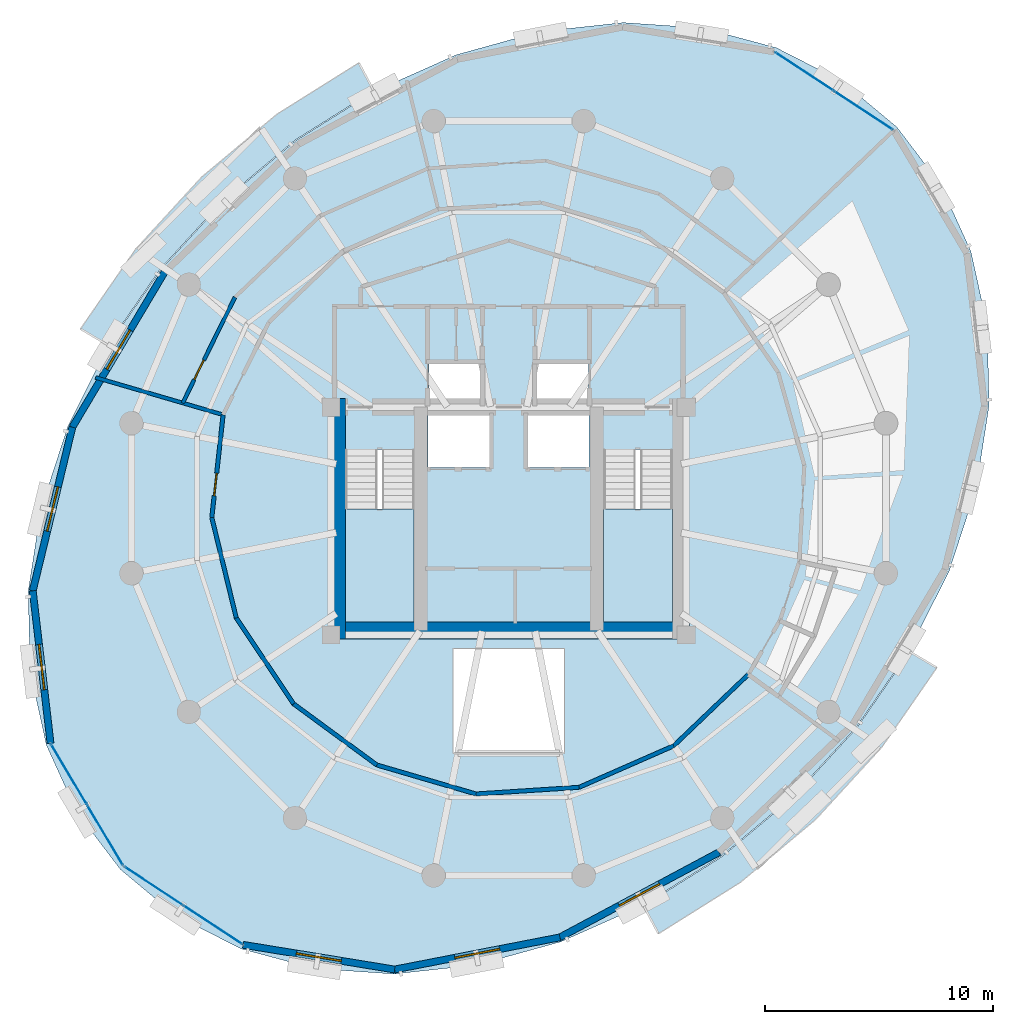
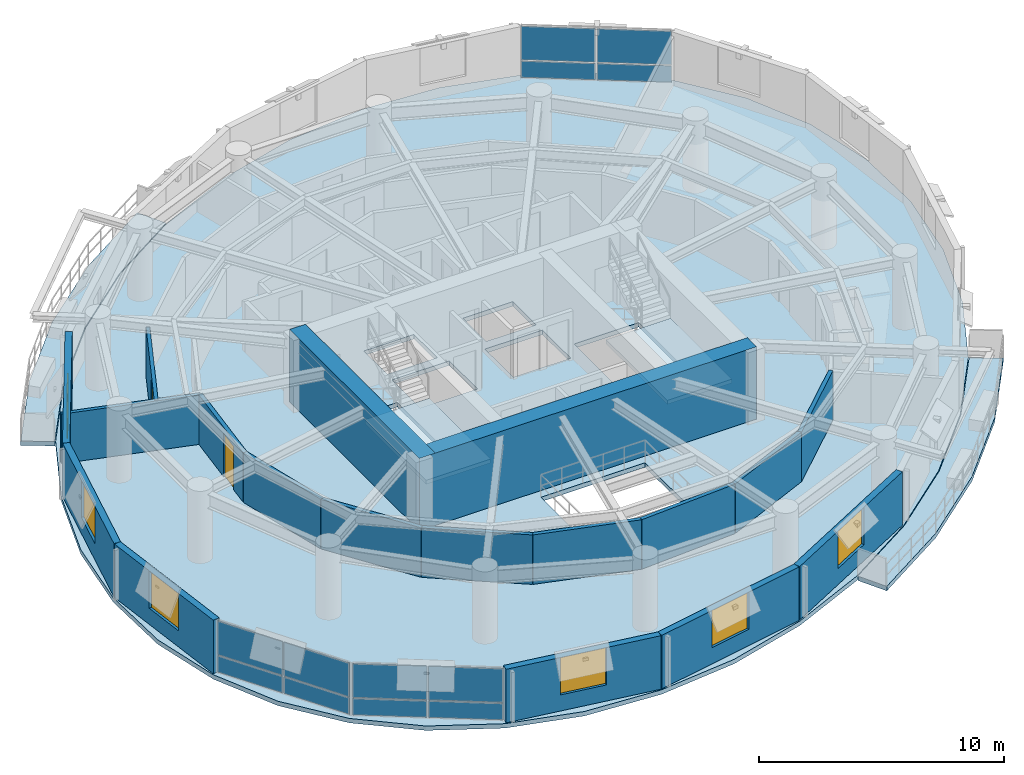
# One storey, part 7 of 12: 18 walls, 12 plates, 6 windows, 5 slabs, 2 doors, 8 openings, 5 elements without a shape of their own.
"""IFC4 building model written with IfcOpenShell, lengths in metres."""

from ifc_helpers import new_model, si_unit, direction, frame, frame_2d, origin, origin_2d, place, context, subcontext, project, spatial, polyline, rectangle, outline, extrude, material, layer, layer_set, type_object, element, fill, aggregate, save


model = new_model("IFC4")

# Units and contexts
model_context = context("Model", 3, precision=1e-05, world=origin(), true_north=direction((0.0, 1.0)))
body_context = subcontext(model_context, "Body", "Model", "MODEL_VIEW")
ifc_project = project(units=[si_unit("LENGTHUNIT", "METRE"), si_unit("AREAUNIT", "SQUARE_METRE"), si_unit("VOLUMEUNIT", "CUBIC_METRE"), si_unit("PLANEANGLEUNIT", "RADIAN"), si_unit("MASSUNIT", "GRAM", prefix="KILO"), si_unit("THERMODYNAMICTEMPERATUREUNIT", "KELVIN"), si_unit("POWERUNIT", "WATT")], contexts=[model_context])

# Site, building, storey
site_placement = place(None, origin())
site = spatial("IfcSite", under=ifc_project, at=site_placement, CompositionType="ELEMENT")
building_placement = place(site_placement, origin())
building = spatial("IfcBuilding", under=site, at=building_placement, Name="Ocrelia Relay Tower", CompositionType="ELEMENT")
storey_placement = place(building_placement, frame((0.0, 0.0, 213.199951171875)))
storey = spatial("IfcBuildingStorey", under=building, at=storey_placement, Name="L52", CompositionType="ELEMENT", Elevation=213.199951171875)

# Curtain wall, plates
ifc_material_1 = material(Name="Aluminium and solar-control low-E glass", Category="aluminium")
ifc_layer_1 = layer(ifc_material_1, 0.179931640625, Name="Aluminium and solar-control low-E glass")
ifc_layer_set_1 = layer_set([ifc_layer_1], Name="Aluminium and solar-control low-E glass")
curtain_wall_type = type_object("IfcCurtainWallType", Name="CW-SYS-Z3-CLOU", PredefinedType="NOTDEFINED", material=ifc_layer_set_1)
curtain_wall_1_placement = place(storey_placement, origin())
curtain_wall_1 = element("IfcCurtainWall", 1, at=curtain_wall_1_placement, inside=storey, type_object=curtain_wall_type, Name="L52 Elliptical Tower Curtain Wall Bay 01", PredefinedType="NOTDEFINED")
ifc_material_2 = material(Name="Clear double-glazed low-E glass", Category="glass")
ifc_layer_2 = layer(ifc_material_2, 0.031982421875, Name="Clear double-glazed low-E glass")
ifc_layer_set_2 = layer_set([ifc_layer_2], Name="Clear double-glazed low-E glass")
plate_type = type_object("IfcPlateType", Name="CW-SYS-Z3-CLOU-PNL", PredefinedType="CURTAIN_PANEL", material=ifc_layer_set_2)
plate_1_placement = place(storey_placement, frame((49.59130859375, 43.038330078125, 0.06005859375), z_axis=(0.0, 0.0, 1.0), x_axis=(-0.835613007377, 0.549318579608, 0.0)))
plate_1 = element("IfcPlate", 2, at=plate_1_placement, type_object=plate_type, Name="CW-Z3 panel 1.1", PredefinedType="CURTAIN_PANEL", context=body_context, shape_type="SweptSolid", body=[
    extrude(rectangle(XDim=3.0439453125, YDim=0.031982421875, at=origin_2d()), origin(), (0.0, 0.0, 1.0), 0.81005859375),
])
plate_2_placement = place(storey_placement, frame((49.59130859375, 43.038330078125, 0.93017578125), z_axis=(0.0, 0.0, 1.0), x_axis=(-0.835613007377, 0.549318579608, 0.0)))
plate_2 = element("IfcPlate", 3, at=plate_2_placement, type_object=plate_type, Name="CW-Z3 panel 1.2", PredefinedType="CURTAIN_PANEL", context=body_context, shape_type="SweptSolid", body=[
    extrude(rectangle(XDim=3.0439453125, YDim=0.031982421875, at=origin_2d()), origin(), (0.0, 0.0, 1.0), 1.669921875),
])
plate_3_placement = place(storey_placement, frame((46.99365234375, 44.74609375, 0.06005859375), z_axis=(0.0, 0.0, 1.0), x_axis=(-0.835613007377, 0.549318579608, 0.0)))
plate_3 = element("IfcPlate", 4, at=plate_3_placement, type_object=plate_type, Name="CW-Z3 panel 2.1", PredefinedType="CURTAIN_PANEL", context=body_context, shape_type="SweptSolid", body=[
    extrude(rectangle(XDim=3.0439453125, YDim=0.031982421875, at=origin_2d()), origin(), (0.0, 0.0, 1.0), 0.81005859375),
])
plate_4_placement = place(storey_placement, frame((46.99365234375, 44.74609375, 0.93017578125), z_axis=(0.0, 0.0, 1.0), x_axis=(-0.835613007377, 0.549318579608, 0.0)))
plate_4 = element("IfcPlate", 5, at=plate_4_placement, type_object=plate_type, Name="CW-Z3 panel 2.2", PredefinedType="CURTAIN_PANEL", context=body_context, shape_type="SweptSolid", body=[
    extrude(rectangle(XDim=3.0439453125, YDim=0.031982421875, at=origin_2d()), origin(), (0.0, 0.0, 1.0), 1.669921875),
])
aggregate(curtain_wall_1, [plate_1, plate_2, plate_3, plate_4])

curtain_wall_2_placement = place(storey_placement, origin())
curtain_wall_2 = element("IfcCurtainWall", 6, at=curtain_wall_2_placement, inside=storey, type_object=curtain_wall_type, Name="L52 Elliptical Tower Curtain Wall Bay 09", PredefinedType="NOTDEFINED")
plate_5_placement = place(storey_placement, frame((14.683837890625, 13.8701171875, 0.06005859375), z_axis=(0.0, 0.0, 1.0), x_axis=(0.510851311263, -0.859669086208, 0.0)))
plate_5 = element("IfcPlate", 7, at=plate_5_placement, type_object=plate_type, Name="CW-Z3 panel 1.1", PredefinedType="CURTAIN_PANEL", context=body_context, shape_type="SweptSolid", body=[
    extrude(rectangle(XDim=3.0439453125, YDim=0.031982421875, at=origin_2d()), origin(), (0.0, 0.0, 1.0), 0.81005859375),
])
plate_6_placement = place(storey_placement, frame((14.683837890625, 13.8701171875, 0.93017578125), z_axis=(0.0, 0.0, 1.0), x_axis=(0.510851311263, -0.859669086208, 0.0)))
plate_6 = element("IfcPlate", 8, at=plate_6_placement, type_object=plate_type, Name="CW-Z3 panel 1.2", PredefinedType="CURTAIN_PANEL", context=body_context, shape_type="SweptSolid", body=[
    extrude(rectangle(XDim=3.0439453125, YDim=0.031982421875, at=origin_2d()), origin(), (0.0, 0.0, 1.0), 1.669921875),
])
plate_7_placement = place(storey_placement, frame((16.27197265625, 11.197509765625, 0.06005859375), z_axis=(0.0, 0.0, 1.0), x_axis=(0.510851311263, -0.859669086208, 0.0)))
plate_7 = element("IfcPlate", 9, at=plate_7_placement, type_object=plate_type, Name="CW-Z3 panel 2.1", PredefinedType="CURTAIN_PANEL", context=body_context, shape_type="SweptSolid", body=[
    extrude(rectangle(XDim=3.0439453125, YDim=0.031982421875, at=origin_2d()), origin(), (0.0, 0.0, 1.0), 0.81005859375),
])
plate_8_placement = place(storey_placement, frame((16.27197265625, 11.197509765625, 0.93017578125), z_axis=(0.0, 0.0, 1.0), x_axis=(0.510851311263, -0.859669086208, 0.0)))
plate_8 = element("IfcPlate", 10, at=plate_8_placement, type_object=plate_type, Name="CW-Z3 panel 2.2", PredefinedType="CURTAIN_PANEL", context=body_context, shape_type="SweptSolid", body=[
    extrude(rectangle(XDim=3.0439453125, YDim=0.031982421875, at=origin_2d()), origin(), (0.0, 0.0, 1.0), 1.669921875),
])
aggregate(curtain_wall_2, [plate_5, plate_6, plate_7, plate_8])

curtain_wall_3_placement = place(storey_placement, origin())
curtain_wall_3 = element("IfcCurtainWall", 11, at=curtain_wall_3_placement, inside=storey, type_object=curtain_wall_type, Name="L52 Elliptical Tower Curtain Wall Bay 10", PredefinedType="NOTDEFINED")
plate_9_placement = place(storey_placement, frame((18.40869140625, 8.961669921875, 0.06005859375), z_axis=(0.0, 0.0, 1.0), x_axis=(0.835613007377, -0.549318579608, 0.0)))
plate_9 = element("IfcPlate", 12, at=plate_9_placement, type_object=plate_type, Name="CW-Z3 panel 1.1", PredefinedType="CURTAIN_PANEL", context=body_context, shape_type="SweptSolid", body=[
    extrude(rectangle(XDim=3.0439453125, YDim=0.031982421875, at=origin_2d()), origin(), (0.0, 0.0, 1.0), 0.81005859375),
])
plate_10_placement = place(storey_placement, frame((18.40869140625, 8.961669921875, 0.93017578125), z_axis=(0.0, 0.0, 1.0), x_axis=(0.835613007377, -0.549318579608, 0.0)))
plate_10 = element("IfcPlate", 13, at=plate_10_placement, type_object=plate_type, Name="CW-Z3 panel 1.2", PredefinedType="CURTAIN_PANEL", context=body_context, shape_type="SweptSolid", body=[
    extrude(rectangle(XDim=3.0439453125, YDim=0.031982421875, at=origin_2d()), origin(), (0.0, 0.0, 1.0), 1.669921875),
])
plate_11_placement = place(storey_placement, frame((21.00634765625, 7.25390625, 0.06005859375), z_axis=(0.0, 0.0, 1.0), x_axis=(0.835613007377, -0.549318579608, 0.0)))
plate_11 = element("IfcPlate", 14, at=plate_11_placement, type_object=plate_type, Name="CW-Z3 panel 2.1", PredefinedType="CURTAIN_PANEL", context=body_context, shape_type="SweptSolid", body=[
    extrude(rectangle(XDim=3.0439453125, YDim=0.031982421875, at=origin_2d()), origin(), (0.0, 0.0, 1.0), 0.81005859375),
])
plate_12_placement = place(storey_placement, frame((21.00634765625, 7.25390625, 0.93017578125), z_axis=(0.0, 0.0, 1.0), x_axis=(0.835613007377, -0.549318579608, 0.0)))
plate_12 = element("IfcPlate", 15, at=plate_12_placement, type_object=plate_type, Name="CW-Z3 panel 2.2", PredefinedType="CURTAIN_PANEL", context=body_context, shape_type="SweptSolid", body=[
    extrude(rectangle(XDim=3.0439453125, YDim=0.031982421875, at=origin_2d()), origin(), (0.0, 0.0, 1.0), 1.669921875),
])
aggregate(curtain_wall_3, [plate_9, plate_10, plate_11, plate_12])

# Slabs
ifc_material_3 = material(Name="Precast concrete C40/50", Category="concrete")
ifc_layer_3 = layer(ifc_material_3, 0.219970703125, Name="Precast concrete C40/50")
ifc_layer_set_3 = layer_set([ifc_layer_3], Name="Precast concrete C40/50")
slab_type_1 = type_object("IfcSlabType", Name="SL-BALC-220", PredefinedType="FLOOR", material=ifc_layer_set_3)
slab_1_placement = place(storey_placement, frame((0.0, 0.0, -0.219970703125)))
element("IfcSlab", 16, at=slab_1_placement, inside=storey, type_object=slab_type_1, Name="L52 Planted Loggia Balcony B1", PredefinedType="FLOOR", context=body_context, shape_type="SweptSolid", body=[
    extrude(outline(polyline([(28.070556640625, 43.899658203125), (26.350341796875, 42.821044921875), (24.630126953125, 41.742431640625), (21.47412109375, 39.107421875), (18.69873046875, 36.07421875), (17.543212890625, 34.40478515625), (16.3876953125, 32.7353515625), (15.18896484375, 33.44580078125), (16.3994140625, 35.194580078125), (17.609619140625, 36.943115234375), (20.51171875, 40.114501953125), (23.811767578125, 42.8701171875), (25.613525390625, 43.999755859375), (27.415283203125, 45.12939453125), (28.070556640625, 43.899658203125)])), origin(), (0.0, 0.0, 1.0), 0.219970703125),
])
slab_2_placement = place(storey_placement, frame((0.0, 0.0, -0.219970703125)))
element("IfcSlab", 17, at=slab_2_placement, inside=storey, type_object=slab_type_1, Name="L52 Planted Loggia Balcony B2", PredefinedType="FLOOR", context=body_context, shape_type="SweptSolid", body=[
    extrude(outline(polyline([(39.929443359375, 8.100341796875), (41.649658203125, 9.178955078125), (43.369873046875, 10.257568359375), (46.52587890625, 12.892578125), (49.30126953125, 15.92578125), (50.456787109375, 17.59521484375), (51.6123046875, 19.2646484375), (52.81103515625, 18.55419921875), (51.600830078125, 16.8056640625), (50.390380859375, 15.056884765625), (47.48828125, 11.885498046875), (44.188232421875, 9.1298828125), (42.386474609375, 8.000244140625), (40.584716796875, 6.87060546875), (39.929443359375, 8.100341796875)])), origin(), (0.0, 0.0, 1.0), 0.219970703125),
])
ifc_material_4 = material(Name="Concrete C50/60", Category="concrete")
ifc_layer_4 = layer(ifc_material_4, 0.219970703125, Name="Concrete C50/60")
ifc_layer_set_4 = layer_set([ifc_layer_4], Name="Concrete C50/60")
slab_type_2 = type_object("IfcSlabType", Name="SL-FLR-220", PredefinedType="FLOOR", material=ifc_layer_set_4)
slab_3_placement = place(storey_placement, frame((0.0, 0.0, -0.219970703125)))
element("IfcSlab", 18, at=slab_3_placement, inside=storey, type_object=slab_type_2, Name="L52 Elliptical Tower Floor Slab", PredefinedType="FLOOR", context=body_context, shape_type="SweptSolid", body=[
    extrude(outline(polyline([(51.06201171875, 42.3046875), (48.63134765625, 44.329345703125), (45.756103515625, 45.797119140625), (42.523681640625, 46.6630859375), (39.0322265625, 46.901611328125), (35.387939453125, 46.5048828125), (31.701416015625, 45.485107421875), (28.084716796875, 43.873046875), (24.647705078125, 41.71826171875), (21.4951171875, 39.085693359375), (18.72216796875, 36.0556640625), (16.41357421875, 32.719970703125), (14.639404296875, 29.18017578125), (13.453369140625, 25.543701171875), (12.8916015625, 21.921142578125), (12.971435546875, 18.422607421875), (13.68994140625, 15.154052734375), (15.025634765625, 12.215087890625), (16.93798828125, 9.6953125), (19.36865234375, 7.670654296875), (22.243896484375, 6.202880859375), (25.476318359375, 5.3369140625), (28.9677734375, 5.098388671875), (32.612060546875, 5.4951171875), (36.298583984375, 6.514892578125), (39.915283203125, 8.126953125), (43.352294921875, 10.28173828125), (46.5048828125, 12.914306640625), (49.27783203125, 15.9443359375), (51.58642578125, 19.280029296875), (53.360595703125, 22.81982421875), (54.546630859375, 26.456298828125), (55.1083984375, 30.078857421875), (55.028564453125, 33.577392578125), (54.31005859375, 36.845947265625), (52.974365234375, 39.784912109375), (51.06201171875, 42.3046875)]), holes=[polyline([(26.81005859375, 28.14990234375), (26.81005859375, 20.550048828125), (29.85009765625, 20.550048828125), (29.85009765625, 28.14990234375), (26.81005859375, 28.14990234375)]), polyline([(38.159912109375, 28.14990234375), (38.159912109375, 20.550048828125), (41.199951171875, 20.550048828125), (41.199951171875, 28.14990234375), (38.159912109375, 28.14990234375)]), polyline([(30.4599609375, 27.35009765625), (33.159912109375, 27.35009765625), (33.159912109375, 29.64990234375), (30.4599609375, 29.64990234375), (30.4599609375, 27.35009765625)]), polyline([(34.840087890625, 27.35009765625), (37.5400390625, 27.35009765625), (37.5400390625, 29.64990234375), (34.840087890625, 29.64990234375), (34.840087890625, 27.35009765625)]), polyline([(30.5, 30.10009765625), (32.85009765625, 30.10009765625), (32.85009765625, 32.0), (30.5, 32.0), (30.5, 30.10009765625)]), polyline([(35.14990234375, 30.10009765625), (37.5, 30.10009765625), (37.5, 32.0), (35.14990234375, 32.0), (35.14990234375, 30.10009765625)]), polyline([(31.550048828125, 14.800048828125), (36.449951171875, 14.800048828125), (36.449951171875, 19.39990234375), (31.550048828125, 19.39990234375), (31.550048828125, 14.800048828125)])]), origin(), (0.0, 0.0, 1.0), 0.219970703125),
])

# Stair, slab
stair_type = type_object("IfcStairType", Name="ST-DL-1420-R180", PredefinedType="HALF_TURN_STAIR", material=ifc_material_4)
stair_1_placement = place(storey_placement, origin())
stair_1 = element("IfcStair", 19, at=stair_1_placement, inside=storey, type_object=stair_type, Name="L52 West Core Exit Stair ST1", PredefinedType="HALF_TURN_STAIR")
ifc_layer_5 = layer(ifc_material_4, 0.199951171875, Name="Concrete C50/60")
ifc_layer_set_5 = layer_set([ifc_layer_5], Name="Concrete C50/60")
slab_type_3 = type_object("IfcSlabType", Name="SL-LANDING-200", PredefinedType="LANDING", material=ifc_layer_set_5)
slab_4_placement = place(storey_placement, frame((0.0, 0.0, 1.60009765625)))
slab_4 = element("IfcSlab", 20, at=slab_4_placement, type_object=slab_type_3, Name="ST1 landing 1", PredefinedType="LANDING", context=body_context, shape_type="SweptSolid", body=[
    extrude(outline(polyline([(26.81005859375, 25.5400390625), (26.81005859375, 20.550048828125), (29.85009765625, 20.550048828125), (29.85009765625, 25.5400390625), (26.81005859375, 25.5400390625)])), origin(), (0.0, 0.0, 1.0), 0.199951171875),
])
aggregate(stair_1, [slab_4])

stair_2_placement = place(storey_placement, origin())
stair_2 = element("IfcStair", 21, at=stair_2_placement, inside=storey, type_object=stair_type, Name="L52 East Core Exit Stair ST2", PredefinedType="HALF_TURN_STAIR")
slab_5_placement = place(storey_placement, frame((0.0, 0.0, 1.60009765625)))
slab_5 = element("IfcSlab", 22, at=slab_5_placement, type_object=slab_type_3, Name="ST2 landing 1", PredefinedType="LANDING", context=body_context, shape_type="SweptSolid", body=[
    extrude(outline(polyline([(38.159912109375, 25.5400390625), (38.159912109375, 20.550048828125), (41.199951171875, 20.550048828125), (41.199951171875, 25.5400390625), (38.159912109375, 25.5400390625)])), origin(), (0.0, 0.0, 1.0), 0.199951171875),
])
aggregate(stair_2, [slab_5])

# Walls
ifc_material_5 = material(Name="Concrete C60/75", Category="concrete")
ifc_layer_6 = layer(ifc_material_5, 0.75, Name="Concrete C60/75")
ifc_layer_set_6 = layer_set([ifc_layer_6], Name="Concrete C60/75")
wall_type_1 = type_object("IfcWallType", Name="CW-CORE-750", PredefinedType="SHEAR", material=ifc_layer_set_6)
wall_1_placement = place(storey_placement, frame((26.072021484375, 20.18701171875, 0.0), z_axis=(0.0, 0.0, 1.0), x_axis=(1.0, 0.0, 0.0)))
element("IfcWall", 23, at=wall_1_placement, inside=storey, type_object=wall_type_1, Name="L52 Core Shear Wall S", PredefinedType="SHEAR", context=body_context, shape_type="SweptSolid", body=[
    extrude(rectangle(XDim=15.865966796875, YDim=0.75, at=frame_2d((7.93310546875, 0.0))), origin(), (0.0, 0.0, 1.0), 3.60009765625),
])
wall_2_placement = place(storey_placement, frame((26.447021484375, 19.81201171875, 0.0), z_axis=(0.0, 0.0, 1.0), x_axis=(0.0, 1.0, 0.0)))
element("IfcWall", 24, at=wall_2_placement, inside=storey, type_object=wall_type_1, Name="L52 Core Shear Wall W", PredefinedType="SHEAR", context=body_context, shape_type="SweptSolid", body=[
    extrude(rectangle(XDim=10.575927734375, YDim=0.75, at=frame_2d((5.2880859375, 0.0))), origin(), (0.0, 0.0, 1.0), 3.60009765625),
])

# Wall, opening, door
ifc_material_6 = material(Name="Gypsum Fireboard Partition EI60", Category="gypsum")
ifc_layer_7 = layer(ifc_material_6, 0.179931640625, Name="Gypsum Fireboard Partition EI60")
ifc_layer_set_7 = layer_set([ifc_layer_7], Name="Gypsum Fireboard Partition EI60")
wall_type_2 = type_object("IfcWallType", Name="W-CORR-EI60-180", PredefinedType="PARTITIONING", material=ifc_layer_set_7)
wall_3_placement = place(storey_placement, frame((21.455322265625, 29.668212890625, 0.0), z_axis=(0.0, 0.0, 1.0), x_axis=(-0.109723099248, -0.99396219319, 0.0)))
wall_3 = element("IfcWall", 25, at=wall_3_placement, inside=storey, type_object=wall_type_2, Name="L52 Partner Welcome Foyer Corridor Partition 1", PredefinedType="PARTITIONING", context=body_context, shape_type="SweptSolid", body=[
    extrude(rectangle(XDim=4.5390625, YDim=0.179931640625, at=frame_2d((2.26953125, 0.0))), origin(), (0.0, 0.0, 1.0), 2.4599609375),
])
opening_1_placement = place(wall_3_placement, frame((2.579345703125, 0.0, 0.0)))
opening_1 = element("IfcOpeningElement", 26, at=opening_1_placement, cuts=wall_3, Name="Opening D-RM100", PredefinedType="OPENING", context=body_context, shape_type="SweptSolid", body=[
    extrude(rectangle(XDim=1.0, YDim=2.14990234375, at=frame_2d((0.5, 1.074951171875))), frame((0.0, 0.10009765625, 0.0), z_axis=(0.0, -1.0, 0.0), x_axis=(1.0, 0.0, 0.0)), (0.0, 0.0, 1.0), 0.199951171875),
])
ifc_material_7 = material(Name="Acoustic oak veneer fire door", Category="wood")
door_type_1 = type_object("IfcDoorType", Name="DR-ROOM-FD60-1000", OperationType="NOTDEFINED", PredefinedType="DOOR", material=ifc_material_7)
door_1_placement = place(opening_1_placement, origin())
door_1 = element("IfcDoor", 27, at=door_1_placement, inside=storey, type_object=door_type_1, Name="L52 Partner Welcome Foyer Entrance Door", OperationType="SINGLE_SWING_RIGHT", OverallHeight=2.14990234375, OverallWidth=1.0, PredefinedType="DOOR", context=body_context, shape_type="SweptSolid", body=[
    extrude(rectangle(XDim=1.0, YDim=2.14990234375, at=frame_2d((0.5, 1.074951171875))), frame((0.0, 0.02490234375, 0.0), z_axis=(0.0, -1.0, 0.0), x_axis=(1.0, 0.0, 0.0)), (0.0, 0.0, 1.0), 0.050048828125),
])
fill(opening_1, door_1)

# Walls
for number, where, z_axis, x_axis, name in (
    (28, (20.957275390625, 25.156494140625, 0.0), (0.0, 0.0, 1.0), (0.236823688881, -0.971552644165, 0.0), "L52 Partner Welcome Foyer Corridor Partition 2"),
    (29, (22.0322265625, 20.74658203125, 0.0), (0.0, 0.0, 1.0), (0.554849131239, -0.831950985073, 0.0), "L52 Partner Welcome Foyer Corridor Partition 3"),
    (30, (24.55078125, 16.97021484375, 0.0), (0.0, 0.0, 1.0), (0.805924234129, -0.592018689606, 0.0), "L52 Partner Welcome Foyer Corridor Partition 4"),
):
    element("IfcWall", number, at=place(storey_placement, frame(where, z_axis=z_axis, x_axis=x_axis)), inside=storey, type_object=wall_type_2, Name=name, PredefinedType="PARTITIONING", context=body_context, shape_type="SweptSolid", body=[
        extrude(rectangle(XDim=4.5390625, YDim=0.179931640625, at=frame_2d((2.26953125, 0.0))), origin(), (0.0, 0.0, 1.0), 2.4599609375),
    ])
wall_4_placement = place(storey_placement, frame((28.208984375, 14.282958984375, 0.0), z_axis=(0.0, 0.0, 1.0), x_axis=(0.95979856343, -0.280689717726, 0.0)))
element("IfcWall", 31, at=wall_4_placement, inside=storey, type_object=wall_type_2, Name="L52 Partner Welcome Foyer Corridor Partition 5", PredefinedType="PARTITIONING", context=body_context, shape_type="SweptSolid", body=[
    extrude(rectangle(XDim=4.539306640625, YDim=0.179931640625, at=frame_2d((2.26953125, 0.0))), origin(), (0.0, 0.0, 1.0), 2.4599609375),
])
for number, where, z_axis, x_axis, name in (
    (32, (32.56591796875, 13.0087890625, 0.0), (0.0, 0.0, 1.0), (0.997911351123, 0.064598260804, 0.0), "L52 Partner Welcome Foyer Corridor Partition 6"),
    (33, (37.095458984375, 13.302001953125, 0.0), (0.0, 0.0, 1.0), (0.915662861199, 0.401947166455, 0.0), "L52 Partner Welcome Foyer Corridor Partition 7"),
):
    element("IfcWall", number, at=place(storey_placement, frame(where, z_axis=z_axis, x_axis=x_axis)), inside=storey, type_object=wall_type_2, Name=name, PredefinedType="PARTITIONING", context=body_context, shape_type="SweptSolid", body=[
        extrude(rectangle(XDim=4.5390625, YDim=0.179931640625, at=frame_2d((2.26953125, 0.0))), origin(), (0.0, 0.0, 1.0), 2.4599609375),
    ])
wall_5_placement = place(storey_placement, frame((41.251708984375, 15.12646484375, 0.0), z_axis=(0.0, 0.0, 1.0), x_axis=(0.722979348147, 0.690869641939, 0.0)))
element("IfcWall", 34, at=wall_5_placement, inside=storey, type_object=wall_type_2, Name="L52 Partner Welcome Foyer Corridor Partition 8", PredefinedType="PARTITIONING", context=body_context, shape_type="SweptSolid", body=[
    extrude(rectangle(XDim=4.539306640625, YDim=0.179931640625, at=frame_2d((2.26953125, 0.0))), origin(), (0.0, 0.0, 1.0), 2.4599609375),
])

# Wall, opening, window
ifc_material_8 = material(Name="Precast concrete C40/50 with oxide terracotta", Category="masonry")
ifc_layer_8 = layer(ifc_material_8, 0.300048828125, Name="Precast concrete C40/50 with oxide terracotta")
ifc_layer_set_8 = layer_set([ifc_layer_8], Name="Precast concrete C40/50 with oxide terracotta")
wall_type_3 = type_object("IfcWallType", Name="W-EXT-TERR-300", PredefinedType="SOLIDWALL", material=ifc_layer_set_8)
wall_6_placement = place(storey_placement, frame((18.88330078125, 35.937255859375, 0.0), z_axis=(0.0, 0.0, 1.0), x_axis=(-0.511158411117, -0.859486520397, 0.0)))
wall_6 = element("IfcWall", 35, at=wall_6_placement, inside=storey, type_object=wall_type_3, Name="L52 Oxide Terracotta Facade Wall 06", PredefinedType="SOLIDWALL", context=body_context, shape_type="SweptSolid", body=[
    extrude(rectangle(XDim=7.927001953125, YDim=0.300048828125, at=frame_2d((3.96337890625, 0.0))), origin(), (0.0, 0.0, 1.0), 2.66015625),
])
opening_2_placement = place(wall_6_placement, frame((2.964111328125, 0.0, 0.800048828125)))
opening_2 = element("IfcOpeningElement", 36, at=opening_2_placement, cuts=wall_6, Name="Opening W-03", PredefinedType="OPENING", context=body_context, shape_type="SweptSolid", body=[
    extrude(rectangle(XDim=2.0, YDim=1.85009765625, at=frame_2d((1.0, 0.925048828125))), frame((0.0, 0.16015625, 0.0), z_axis=(0.0, -1.0, 0.0), x_axis=(1.0, 0.0, 0.0)), (0.0, 0.0, 1.0), 0.320068359375),
])
window_type = type_object("IfcWindowType", Name="WIN-Z3-2000x2200", PartitioningType="DOUBLE_PANEL_VERTICAL", PredefinedType="WINDOW", material=ifc_material_2)
window_1_placement = place(opening_2_placement, origin())
window_1 = element("IfcWindow", 37, at=window_1_placement, inside=storey, type_object=window_type, Name="L52 Facade Module Window 06", OverallHeight=1.85009765625, OverallWidth=2.0, PartitioningType="SINGLE_PANEL", PredefinedType="WINDOW", context=body_context, shape_type="SweptSolid", body=[
    extrude(rectangle(XDim=2.0, YDim=1.85009765625, at=frame_2d((1.0, 0.925048828125))), frame((0.0, 0.030029296875, 0.0), z_axis=(0.0, -1.0, 0.0), x_axis=(1.0, 0.0, 0.0)), (0.0, 0.0, 1.0), 0.06005859375),
])
fill(opening_2, window_1)

wall_7_placement = place(storey_placement, frame((14.831298828125, 29.1240234375, 0.0), z_axis=(0.0, 0.0, 1.0), x_axis=(-0.235213672282, -0.971943685803, 0.0)))
wall_7 = element("IfcWall", 38, at=wall_7_placement, inside=storey, type_object=wall_type_3, Name="L52 Oxide Terracotta Facade Wall 07", PredefinedType="SOLIDWALL", context=body_context, shape_type="SweptSolid", body=[
    extrude(rectangle(XDim=7.3974609375, YDim=0.300048828125, at=frame_2d((3.69873046875, 0.0))), origin(), (0.0, 0.0, 1.0), 2.66015625),
])
opening_3_placement = place(wall_7_placement, frame((2.698974609375, 0.0, 0.800048828125)))
opening_3 = element("IfcOpeningElement", 39, at=opening_3_placement, cuts=wall_7, Name="Opening W-03", PredefinedType="OPENING", context=body_context, shape_type="SweptSolid", body=[
    extrude(rectangle(XDim=2.0, YDim=1.85009765625, at=frame_2d((1.0, 0.925048828125))), frame((0.0, 0.16015625, 0.0), z_axis=(0.0, -1.0, 0.0), x_axis=(1.0, 0.0, 0.0)), (0.0, 0.0, 1.0), 0.320068359375),
])
window_2_placement = place(opening_3_placement, origin())
window_2 = element("IfcWindow", 40, at=window_2_placement, inside=storey, type_object=window_type, Name="L52 Facade Module Window 07", OverallHeight=1.85009765625, OverallWidth=2.0, PartitioningType="SINGLE_PANEL", PredefinedType="WINDOW", context=body_context, shape_type="SweptSolid", body=[
    extrude(rectangle(XDim=2.0, YDim=1.85009765625, at=frame_2d((1.0, 0.925048828125))), frame((0.0, 0.030029296875, 0.0), z_axis=(0.0, -1.0, 0.0), x_axis=(1.0, 0.0, 0.0)), (0.0, 0.0, 1.0), 0.06005859375),
])
fill(opening_3, window_2)

wall_8_placement = place(storey_placement, frame((13.09130859375, 21.93408203125, 0.0), z_axis=(0.0, 0.0, 1.0), x_axis=(0.1158961734, -0.993261333684, 0.0)))
wall_8 = element("IfcWall", 41, at=wall_8_placement, inside=storey, type_object=wall_type_3, Name="L52 Oxide Terracotta Facade Wall 08", PredefinedType="SOLIDWALL", context=body_context, shape_type="SweptSolid", body=[
    extrude(rectangle(XDim=6.7451171875, YDim=0.300048828125, at=frame_2d((3.37255859375, 0.0))), origin(), (0.0, 0.0, 1.0), 2.66015625),
])
opening_4_placement = place(wall_8_placement, frame((2.373046875, 0.0, 0.800048828125)))
opening_4 = element("IfcOpeningElement", 42, at=opening_4_placement, cuts=wall_8, Name="Opening W-03", PredefinedType="OPENING", context=body_context, shape_type="SweptSolid", body=[
    extrude(rectangle(XDim=2.0, YDim=1.85009765625, at=frame_2d((1.0, 0.925048828125))), frame((0.0, 0.16015625, 0.0), z_axis=(0.0, -1.0, 0.0), x_axis=(1.0, 0.0, 0.0)), (0.0, 0.0, 1.0), 0.320068359375),
])
window_3_placement = place(opening_4_placement, origin())
window_3 = element("IfcWindow", 43, at=window_3_placement, inside=storey, type_object=window_type, Name="L52 Facade Module Window 08", OverallHeight=1.85009765625, OverallWidth=2.0, PartitioningType="SINGLE_PANEL", PredefinedType="WINDOW", context=body_context, shape_type="SweptSolid", body=[
    extrude(rectangle(XDim=2.0, YDim=1.85009765625, at=frame_2d((1.0, 0.925048828125))), frame((0.0, 0.030029296875, 0.0), z_axis=(0.0, -1.0, 0.0), x_axis=(1.0, 0.0, 0.0)), (0.0, 0.0, 1.0), 0.06005859375),
])
fill(opening_4, window_3)

wall_9_placement = place(storey_placement, frame((22.33251953125, 6.382080078125, 0.0), z_axis=(0.0, 0.0, 1.0), x_axis=(0.986978419701, -0.160852724701, 0.0)))
wall_9 = element("IfcWall", 44, at=wall_9_placement, inside=storey, type_object=wall_type_3, Name="L52 Oxide Terracotta Facade Wall 11", PredefinedType="SOLIDWALL", context=body_context, shape_type="SweptSolid", body=[
    extrude(rectangle(XDim=6.7451171875, YDim=0.300048828125, at=frame_2d((3.37255859375, 0.0))), origin(), (0.0, 0.0, 1.0), 2.66015625),
])
opening_5_placement = place(wall_9_placement, frame((2.373046875, 0.0, 0.800048828125)))
opening_5 = element("IfcOpeningElement", 45, at=opening_5_placement, cuts=wall_9, Name="Opening W-03", PredefinedType="OPENING", context=body_context, shape_type="SweptSolid", body=[
    extrude(rectangle(XDim=2.0, YDim=1.85009765625, at=frame_2d((1.0, 0.925048828125))), frame((0.0, 0.16015625, 0.0), z_axis=(0.0, -1.0, 0.0), x_axis=(1.0, 0.0, 0.0)), (0.0, 0.0, 1.0), 0.320068359375),
])
window_4_placement = place(opening_5_placement, origin())
window_4 = element("IfcWindow", 46, at=window_4_placement, inside=storey, type_object=window_type, Name="L52 Facade Module Window 11", OverallHeight=1.85009765625, OverallWidth=2.0, PartitioningType="SINGLE_PANEL", PredefinedType="WINDOW", context=body_context, shape_type="SweptSolid", body=[
    extrude(rectangle(XDim=2.0, YDim=1.85009765625, at=frame_2d((1.0, 0.925048828125))), frame((0.0, 0.030029296875, 0.0), z_axis=(0.0, -1.0, 0.0), x_axis=(1.0, 0.0, 0.0)), (0.0, 0.0, 1.0), 0.06005859375),
])
fill(opening_5, window_4)

wall_10_placement = place(storey_placement, frame((28.98974609375, 5.297119140625, 0.0), z_axis=(0.0, 0.0, 1.0), x_axis=(0.9816114389, 0.190889976216, 0.0)))
wall_10 = element("IfcWall", 47, at=wall_10_placement, inside=storey, type_object=wall_type_3, Name="L52 Oxide Terracotta Facade Wall 12", PredefinedType="SOLIDWALL", context=body_context, shape_type="SweptSolid", body=[
    extrude(rectangle(XDim=7.3974609375, YDim=0.300048828125, at=frame_2d((3.69873046875, 0.0))), origin(), (0.0, 0.0, 1.0), 2.66015625),
])
opening_6_placement = place(wall_10_placement, frame((2.698974609375, 0.0, 0.800048828125)))
opening_6 = element("IfcOpeningElement", 48, at=opening_6_placement, cuts=wall_10, Name="Opening W-03", PredefinedType="OPENING", context=body_context, shape_type="SweptSolid", body=[
    extrude(rectangle(XDim=2.0, YDim=1.85009765625, at=frame_2d((1.0, 0.925048828125))), frame((0.0, 0.16015625, 0.0), z_axis=(0.0, -1.0, 0.0), x_axis=(1.0, 0.0, 0.0)), (0.0, 0.0, 1.0), 0.320068359375),
])
window_5_placement = place(opening_6_placement, origin())
window_5 = element("IfcWindow", 49, at=window_5_placement, inside=storey, type_object=window_type, Name="L52 Facade Module Window 12", OverallHeight=1.85009765625, OverallWidth=2.0, PartitioningType="SINGLE_PANEL", PredefinedType="WINDOW", context=body_context, shape_type="SweptSolid", body=[
    extrude(rectangle(XDim=2.0, YDim=1.85009765625, at=frame_2d((1.0, 0.925048828125))), frame((0.0, 0.030029296875, 0.0), z_axis=(0.0, -1.0, 0.0), x_axis=(1.0, 0.0, 0.0)), (0.0, 0.0, 1.0), 0.06005859375),
])
fill(opening_6, window_5)

wall_11_placement = place(storey_placement, frame((36.251220703125, 6.709228515625, 0.0), z_axis=(0.0, 0.0, 1.0), x_axis=(0.881775109683, 0.47167007107, 0.0)))
wall_11 = element("IfcWall", 50, at=wall_11_placement, inside=storey, type_object=wall_type_3, Name="L52 Oxide Terracotta Facade Wall 13", PredefinedType="SOLIDWALL", context=body_context, shape_type="SweptSolid", body=[
    extrude(rectangle(XDim=7.92724609375, YDim=0.300048828125, at=frame_2d((3.963623046875, 0.0))), origin(), (0.0, 0.0, 1.0), 2.66015625),
])
opening_7_placement = place(wall_11_placement, frame((2.964111328125, 0.0, 0.800048828125)))
opening_7 = element("IfcOpeningElement", 51, at=opening_7_placement, cuts=wall_11, Name="Opening W-03", PredefinedType="OPENING", context=body_context, shape_type="SweptSolid", body=[
    extrude(rectangle(XDim=2.0, YDim=1.85009765625, at=frame_2d((1.0, 0.925048828125))), frame((0.0, 0.16015625, 0.0), z_axis=(0.0, -1.0, 0.0), x_axis=(1.0, 0.0, 0.0)), (0.0, 0.0, 1.0), 0.320068359375),
])
window_6_placement = place(opening_7_placement, origin())
window_6 = element("IfcWindow", 52, at=window_6_placement, inside=storey, type_object=window_type, Name="L52 Facade Module Window 13", OverallHeight=1.85009765625, OverallWidth=2.0, PartitioningType="SINGLE_PANEL", PredefinedType="WINDOW", context=body_context, shape_type="SweptSolid", body=[
    extrude(rectangle(XDim=2.0, YDim=1.85009765625, at=frame_2d((1.0, 0.925048828125))), frame((0.0, 0.030029296875, 0.0), z_axis=(0.0, -1.0, 0.0), x_axis=(1.0, 0.0, 0.0)), (0.0, 0.0, 1.0), 0.06005859375),
])
fill(opening_7, window_6)

# Wall
ifc_material_9 = material(Name="Acoustic Fireboard Partition EI60", Category="gypsum")
ifc_layer_9 = layer(ifc_material_9, 0.159912109375, Name="Acoustic Fireboard Partition EI60")
ifc_layer_set_9 = layer_set([ifc_layer_9], Name="Acoustic Fireboard Partition EI60")
wall_type_4 = type_object("IfcWallType", Name="W-PART-160", PredefinedType="PARTITIONING", material=ifc_layer_set_9)
wall_12_placement = place(storey_placement, frame((21.455322265625, 29.668212890625, 0.0), z_axis=(0.0, 0.0, 1.0), x_axis=(-0.95979926175, 0.280687329859, 0.0)))
element("IfcWall", 53, at=wall_12_placement, inside=storey, type_object=wall_type_4, Name="L52 Client Arrival Foyer Radial Partition", PredefinedType="PARTITIONING", context=body_context, shape_type="SweptSolid", body=[
    extrude(rectangle(XDim=5.837158203125, YDim=0.159912109375, at=frame_2d((2.91845703125, 0.0))), origin(), (0.0, 0.0, 1.0), 2.4599609375),
])

# Wall, opening, door
wall_13_placement = place(storey_placement, frame((21.9755859375, 34.832763671875, 0.0), z_axis=(0.0, 0.0, 1.0), x_axis=(-0.443081448287, -0.896481360757, 0.0)))
wall_13 = element("IfcWall", 54, at=wall_13_placement, inside=storey, type_object=wall_type_4, Name="L52 Perimeter Client Arrival Foyer Mid-Ring Partition 3", PredefinedType="PARTITIONING", context=body_context, shape_type="SweptSolid", body=[
    extrude(rectangle(XDim=5.181640625, YDim=0.159912109375, at=frame_2d((2.5908203125, 0.0))), origin(), (0.0, 0.0, 1.0), 2.4599609375),
])
opening_8_placement = place(wall_13_placement, frame((3.083740234375, 0.0, 0.0)))
opening_8 = element("IfcOpeningElement", 55, at=opening_8_placement, cuts=wall_13, Name="Opening D-RM95", PredefinedType="OPENING", context=body_context, shape_type="SweptSolid", body=[
    extrude(rectangle(XDim=0.949951171875, YDim=2.14990234375, at=frame_2d((0.47509765625, 1.074951171875))), frame((0.0, 0.08984375, 0.0), z_axis=(0.0, -1.0, 0.0), x_axis=(1.0, 0.0, 0.0)), (0.0, 0.0, 1.0), 0.179931640625),
])
door_type_2 = type_object("IfcDoorType", Name="DR-ROOM-950", OperationType="NOTDEFINED", PredefinedType="DOOR", material=ifc_material_7)
door_2_placement = place(opening_8_placement, origin())
door_2 = element("IfcDoor", 56, at=door_2_placement, inside=storey, type_object=door_type_2, Name="L52 Perimeter Client Arrival Foyer Connecting Door", OperationType="SINGLE_SWING_LEFT", OverallHeight=2.14990234375, OverallWidth=0.949951171875, PredefinedType="DOOR", context=body_context, shape_type="SweptSolid", body=[
    extrude(rectangle(XDim=0.949951171875, YDim=2.14990234375, at=frame_2d((0.47509765625, 1.074951171875))), frame((0.0, 0.02490234375, 0.0), z_axis=(0.0, -1.0, 0.0), x_axis=(1.0, 0.0, 0.0)), (0.0, 0.0, 1.0), 0.050048828125),
])
fill(opening_8, door_2)

save(model, "model.ifc")
